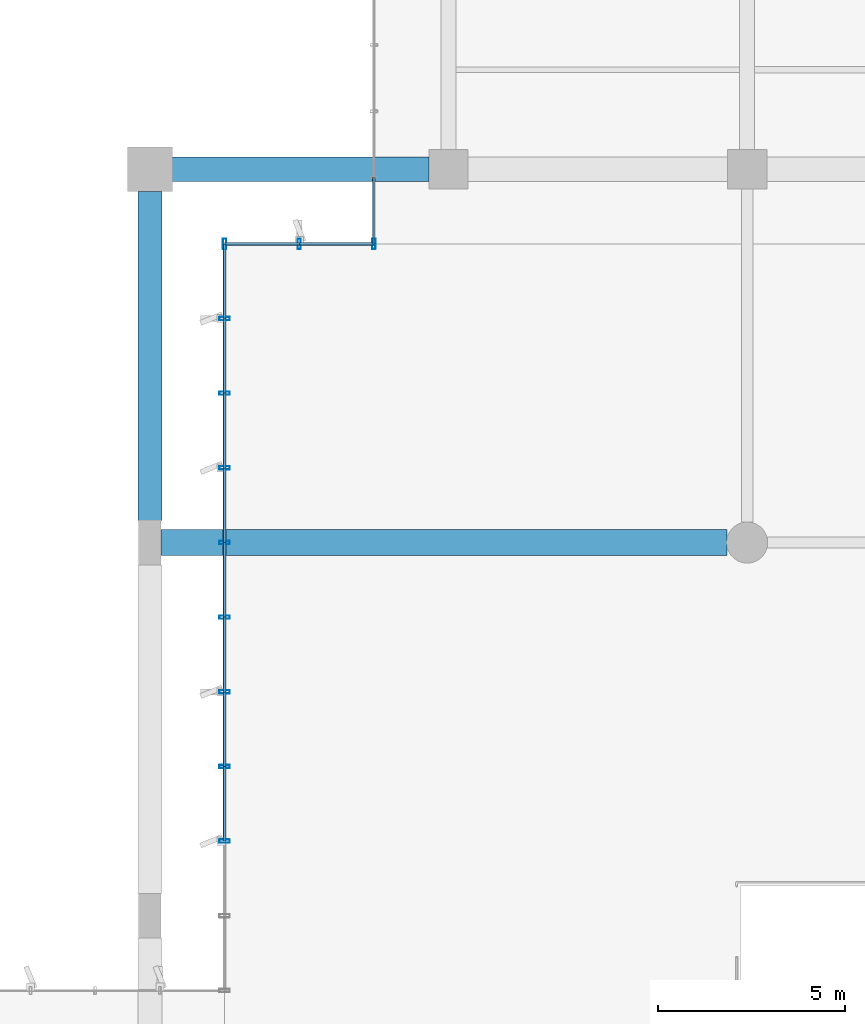
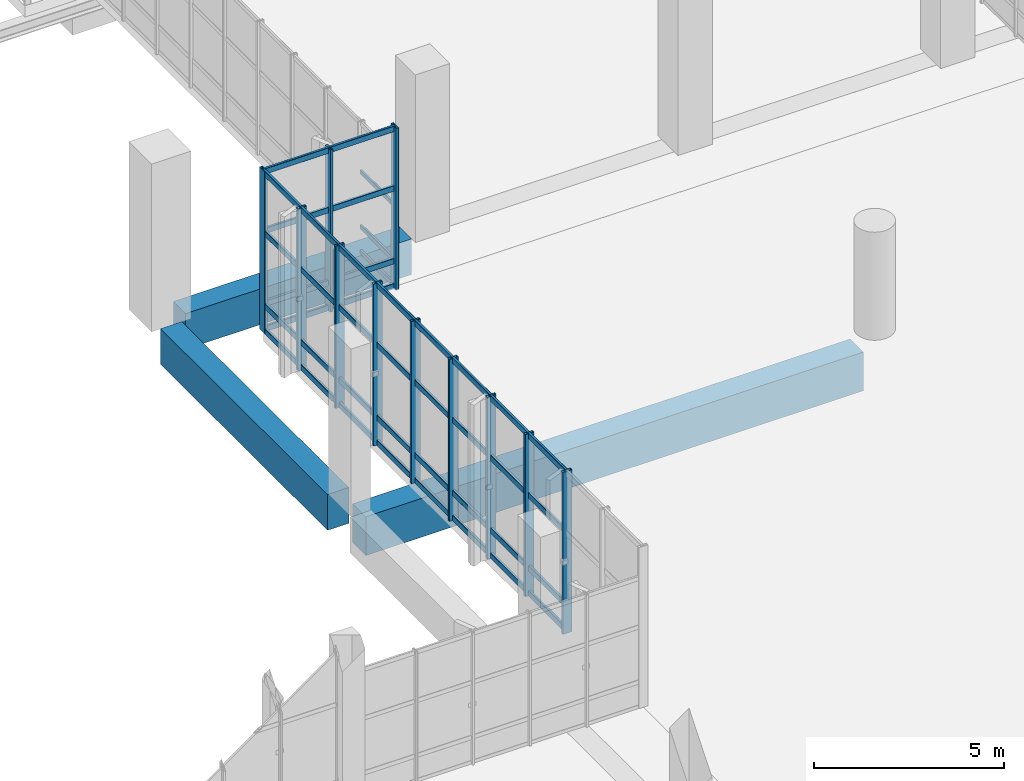
# One storey, part 48 of 176: 54 members, 3 beams, 4 elements without a shape of their own.
"""IFC4 building model written with IfcOpenShell, lengths in metres."""

import ifcopenshell
import ifcopenshell.guid

model = None  # the IFC model being written
_history = None  # IfcOwnerHistory: only IFC2X3 demands one
_inside = {}  # id of a spatial element -> (the spatial element, [elements in it])
_under = {}  # id of a project, library or spatial element -> (it, [spatial elements below it])
_declared = {}  # id of a project -> (the project, [libraries it declares])
_typed = {}  # id of a type object -> (the type object, [elements of that type])
_made_of = {}  # id of a material, layer set ... -> (it, [elements and type objects made of it])


def new_model(schema):
    """Start an empty IFC model of exactly this schema.

    Asked for "IFC4X3", IfcOpenShell would pick the latest addendum, in which some entities
    have other attributes; the version numbers below select the first issue.
    IFC2X3 requires an IfcOwnerHistory on every rooted entity: one is made here for all.
    """
    global model, _history
    if schema == "IFC4X3":
        model = ifcopenshell.file(schema_version=(4, 3, 0, 0))
    else:
        model = ifcopenshell.file(schema=schema)
    _inside.clear()
    _under.clear()
    _declared.clear()
    _typed.clear()
    _made_of.clear()
    _history = None
    if model.schema == "IFC2X3":
        org = make("IfcOrganization", Name="unknown")
        user = make(
            "IfcPersonAndOrganization",
            ThePerson=make("IfcPerson", FamilyName="unknown"),
            TheOrganization=org,
        )
        app = make(
            "IfcApplication",
            ApplicationDeveloper=org,
            Version="unknown",
            ApplicationFullName="unknown",
            ApplicationIdentifier="unknown",
        )
        _history = make(
            "IfcOwnerHistory",
            OwningUser=user,
            OwningApplication=app,
            ChangeAction="ADDED",
            CreationDate=0,
        )
    return model


def make(cls, **values):
    """One entity of the class cls with the attributes given. An attribute that is None is left unset."""
    return model.create_entity(
        cls, **{name: value for name, value in values.items() if value is not None}
    )


def rooted(cls, **values):
    """An entity with a GlobalId (a new one), such as an element, a storey or a relation."""
    return make(cls, GlobalId=ifcopenshell.guid.new(), OwnerHistory=_history, **values)


def si_unit(unit_type, name, prefix=None):
    """IfcSIUnit, for example si_unit("LENGTHUNIT", "METRE", prefix="MILLI")."""
    return make("IfcSIUnit", UnitType=unit_type, Prefix=prefix, Name=name)


def assignment(units):
    """IfcUnitAssignment: the units of a project."""
    return None if units is None else make("IfcUnitAssignment", Units=units)


def point(xyz):
    """IfcCartesianPoint."""
    return None if xyz is None else make("IfcCartesianPoint", Coordinates=xyz)


def direction(xyz):
    """IfcDirection."""
    return None if xyz is None else make("IfcDirection", DirectionRatios=xyz)


def frame(location, z_axis=None, x_axis=None):
    """IfcAxis2Placement3D, a coordinate frame: its origin and axes. An axis left out is left unset."""
    return make(
        "IfcAxis2Placement3D",
        Location=point(location),
        Axis=direction(z_axis),
        RefDirection=direction(x_axis),
    )


def frame_2d(location, x_axis=None):
    """IfcAxis2Placement2D, a coordinate frame in the plane: its origin and x axis."""
    return make(
        "IfcAxis2Placement2D", Location=point(location), RefDirection=direction(x_axis)
    )


def origin():
    """The frame at (0, 0, 0) with its axes left unset."""
    return frame((0.0, 0.0, 0.0))


def origin_2d():
    """The frame at (0, 0) in the plane with its x axis left unset."""
    return frame_2d((0.0, 0.0))


def place(relative_to, where):
    """IfcLocalPlacement: puts the frame where relative to a parent placement (None: the world)."""
    return make(
        "IfcLocalPlacement", PlacementRelTo=relative_to, RelativePlacement=where
    )


def context(
    kind, dimensions, precision=None, world=None, true_north=None, identifier=None
):
    """IfcGeometricRepresentationContext, for example the 3D "Model" context."""
    return make(
        "IfcGeometricRepresentationContext",
        ContextIdentifier=identifier,
        ContextType=kind,
        CoordinateSpaceDimension=dimensions,
        Precision=precision,
        WorldCoordinateSystem=world,
        TrueNorth=true_north,
    )


def subcontext(parent, identifier, kind, view, scale=None):
    """IfcGeometricRepresentationSubContext, for example "Body" below "Model"."""
    return make(
        "IfcGeometricRepresentationSubContext",
        ContextIdentifier=identifier,
        ContextType=kind,
        ParentContext=parent,
        TargetScale=scale,
        TargetView=view,
    )


def project(units=None, contexts=None):
    """IfcProject with its units and contexts."""
    return rooted(
        "IfcProject",
        Name="project",
        RepresentationContexts=contexts,
        UnitsInContext=assignment(units),
    )


def spatial(cls, under=None, at=None, **own):
    """A site, building, storey or space (cls), placed at a placement, below another one or the project."""
    s = rooted(cls, ObjectPlacement=at, **own)
    if under is not None:
        _under.setdefault(under.id(), (under, []))[1].append(s)
    return s


def profile(cls, at=None, kind="AREA", **sizes):
    """A parametric profile (cls). Its sizes go by their IFC names, for example OverallWidth=200.0."""
    return make(cls, ProfileType=kind, Position=at, **sizes)


def rectangle(**sizes):
    """IfcRectangleProfileDef."""
    return profile("IfcRectangleProfileDef", **sizes)


def hollow_rectangle(**sizes):
    """IfcRectangleHollowProfileDef."""
    return profile("IfcRectangleHollowProfileDef", **sizes)


def extrude(swept, where, along, depth):
    """IfcExtrudedAreaSolid: the profile swept, set in the frame where, extruded along a direction by depth."""
    return make(
        "IfcExtrudedAreaSolid",
        SweptArea=swept,
        Position=where,
        ExtrudedDirection=direction(along),
        Depth=depth,
    )


def shape(context_of_items, identifier, shape_type, items):
    """IfcShapeRepresentation: the items that make up one representation, for example the "Body"."""
    return make(
        "IfcShapeRepresentation",
        ContextOfItems=context_of_items,
        RepresentationIdentifier=identifier,
        RepresentationType=shape_type,
        Items=items,
    )


def material(Name=None, Category=None):
    """IfcMaterial."""
    return make("IfcMaterial", Name=Name, Category=Category)


def layer(
    of_material, thickness, ventilated=None, Name=None, Category=None, Priority=None
):
    """IfcMaterialLayer: one layer of a wall or slab, of a material (None: an air gap)."""
    return make(
        "IfcMaterialLayer",
        Material=of_material,
        LayerThickness=thickness,
        IsVentilated=ventilated,
        Name=Name,
        Category=Category,
        Priority=Priority,
    )


def layer_set(layers, Name=None):
    """IfcMaterialLayerSet."""
    return make("IfcMaterialLayerSet", MaterialLayers=layers, LayerSetName=Name)


def material_profile(
    of_material, cross_section, Name=None, Category=None, Priority=None
):
    """IfcMaterialProfile: a cross section and its material."""
    return make(
        "IfcMaterialProfile",
        Name=Name,
        Material=of_material,
        Profile=cross_section,
        Priority=Priority,
        Category=Category,
    )


def profile_set(profiles, Name=None, composite=None):
    """IfcMaterialProfileSet."""
    return make(
        "IfcMaterialProfileSet",
        Name=Name,
        MaterialProfiles=profiles,
        CompositeProfile=composite,
    )


def made_of(thing, what):
    """Note that an element or type object is made of a material, layer set ...; save() writes the relation."""
    if what is not None:
        _made_of.setdefault(what.id(), (what, []))[1].append(thing)
    return thing


def type_object(cls, material=None, **own):
    """A type object (cls), such as IfcWallType, which elements share."""
    return made_of(rooted(cls, **own), material)


def element(
    cls,
    number,
    at=None,
    inside=None,
    cuts=None,
    type_object=None,
    material=None,
    context=None,
    identifier="Body",
    shape_type=None,
    held_by="IfcProductDefinitionShape",
    body=None,
    shapes=None,
    **own,
):
    """One element of the class cls, such as IfcWall. Its Tag is "e" and its number.

    at: its placement. inside: the storey or other place that contains it. cuts: it is an
    opening in that element (IfcRelVoidsElement). A single representation is given by context,
    identifier, shape_type and body (its items); several are given by shapes. held_by: the class
    of the entity that holds the representations. save() writes the other relations.
    """
    e = rooted(cls, Tag="e%d" % number, ObjectPlacement=at, **own)
    if body is not None:
        shapes = [shape(context, identifier, shape_type, body)]
    if shapes is not None:
        e.Representation = make(held_by, Representations=shapes)
    if inside is not None:
        _inside.setdefault(inside.id(), (inside, []))[1].append(e)
    if cuts is not None:
        rooted(
            "IfcRelVoidsElement", RelatingBuildingElement=cuts, RelatedOpeningElement=e
        )
    if type_object is not None:
        _typed.setdefault(type_object.id(), (type_object, []))[1].append(e)
    return made_of(e, material)


def aggregate(whole, parts):
    """IfcRelAggregates: a whole, such as a stair, and the parts it consists of."""
    return rooted("IfcRelAggregates", RelatingObject=whole, RelatedObjects=parts)


def save(model, path):
    """Write the relations noted so far, then the file.

    IfcRelAggregates (storeys below a building ...), IfcRelContainedInSpatialStructure (elements
    in a storey), IfcRelDefinesByType, IfcRelAssociatesMaterial and IfcRelDeclares: one each for
    every whole, place, type object, material and project.
    """
    for whole, parts in _under.values():
        aggregate(whole, parts)
    for where, things in _inside.values():
        rooted(
            "IfcRelContainedInSpatialStructure",
            RelatedElements=things,
            RelatingStructure=where,
        )
    for kind, things in _typed.values():
        rooted("IfcRelDefinesByType", RelatedObjects=things, RelatingType=kind)
    for what, things in _made_of.values():
        rooted("IfcRelAssociatesMaterial", RelatedObjects=things, RelatingMaterial=what)
    for by, libraries in _declared.values():
        rooted("IfcRelDeclares", RelatingContext=by, RelatedDefinitions=libraries)
    model.write(path)


model = new_model("IFC4")

# Units and contexts
model_context = context("Model", 3, precision=1e-05, world=origin(), true_north=direction((0.0, 1.0)))
body_context = subcontext(model_context, "Body", "Model", "MODEL_VIEW")
ifc_project = project(units=[si_unit("LENGTHUNIT", "METRE"), si_unit("AREAUNIT", "SQUARE_METRE"), si_unit("VOLUMEUNIT", "CUBIC_METRE"), si_unit("PLANEANGLEUNIT", "RADIAN"), si_unit("MASSUNIT", "GRAM", prefix="KILO")], contexts=[model_context])

# Site, building, storey
site_placement = place(None, origin())
site = spatial("IfcSite", under=ifc_project, at=site_placement, CompositionType="ELEMENT")
building_placement = place(site_placement, origin())
building = spatial("IfcBuilding", under=site, at=building_placement, Name="Khorjan Park Terminus", CompositionType="ELEMENT")
storey_placement = place(building_placement, frame((0.0, 0.0, 6.0)))
storey = spatial("IfcBuildingStorey", under=building, at=storey_placement, Name="L01", CompositionType="ELEMENT", Elevation=6.0)

# Beam
ifc_material_1 = material(Name="Concrete C40/50", Category="concrete")
ifc_material_profile_1 = material_profile(ifc_material_1, rectangle(XDim=0.7, YDim=1.25, at=origin_2d()), Name="RC 700x1250")
ifc_profile_set_1 = profile_set([ifc_material_profile_1], Name="Concrete C40/50")
beam_type_1 = type_object("IfcBeamType", Name="BM-RC700x1250", PredefinedType="BEAM", material=ifc_profile_set_1)
beam_1_placement = place(storey_placement, frame((48.295, 78.0, -0.985), z_axis=(1.0, 0.0, 0.0), x_axis=(0.0, 1.0, 0.0)))
element("IfcBeam", 1, at=beam_1_placement, inside=storey, type_object=beam_type_1, Name="Primary floor girder GB-125 (L01)", PredefinedType="BEAM", context=body_context, shape_type="SweptSolid", body=[
    extrude(rectangle(XDim=0.7, YDim=1.25, at=origin_2d()), origin(), (0.0, 0.0, 1.0), 15.16),
])

# Curtain wall, members
ifc_material_2 = material(Name="Anodized Bronze Aluminium", Category="aluminium")
ifc_layer_1 = layer(ifc_material_2, 0.22)
ifc_layer_set_1 = layer_set([ifc_layer_1], Name="Anodized Bronze Aluminium")
curtain_wall_type_1 = type_object("IfcCurtainWallType", Name="CW-CONC-A", PredefinedType="NOTDEFINED", material=ifc_layer_set_1)
curtain_wall_1_placement = place(storey_placement, origin())
curtain_wall_1 = element("IfcCurtainWall", 2, at=curtain_wall_1_placement, inside=storey, type_object=curtain_wall_type_1, Name="Unitized curtain wall CW-A (CW-V2-N-L01-01)", PredefinedType="NOTDEFINED")
ifc_material_profile_2 = material_profile(ifc_material_2, hollow_rectangle(XDim=0.09, YDim=0.28, WallThickness=0.006, InnerFilletRadius=0.006, OuterFilletRadius=0.012, at=origin_2d()), Name="ALM 90x280x6")
ifc_profile_set_2 = profile_set([ifc_material_profile_2], Name="Anodized Bronze Aluminium")
member_type_1 = type_object("IfcMemberType", Name="ML-ALM-280", PredefinedType="MULLION", material=ifc_profile_set_2)
member_1_placement = place(storey_placement, frame((54.0, 86.0, -0.035), z_axis=(0.0, 0.0, 1.0), x_axis=(-1.0, 0.0, 0.0)))
member_1 = element("IfcMember", 3, at=member_1_placement, type_object=member_type_1, Name="Curtain-wall mullion ML-28 (CW-V2-N-L01-01-0)", PredefinedType="MULLION", context=body_context, shape_type="SweptSolid", body=[
    extrude(hollow_rectangle(XDim=0.09, YDim=0.28, WallThickness=0.006, InnerFilletRadius=0.006, OuterFilletRadius=0.012, at=origin_2d()), origin(), (0.0, 0.0, 1.0), 5.22),
])
member_2_placement = place(storey_placement, frame((52.0, 86.0, -0.035), z_axis=(0.0, 0.0, 1.0), x_axis=(-1.0, 0.0, 0.0)))
member_2 = element("IfcMember", 4, at=member_2_placement, type_object=member_type_1, Name="Curtain-wall mullion ML-28 (CW-V2-N-L01-01-1)", PredefinedType="MULLION", context=body_context, shape_type="SweptSolid", body=[
    extrude(hollow_rectangle(XDim=0.09, YDim=0.28, WallThickness=0.006, InnerFilletRadius=0.006, OuterFilletRadius=0.012, at=origin_2d()), origin(), (0.0, 0.0, 1.0), 5.22),
])
member_3_placement = place(storey_placement, frame((50.0, 86.0, -0.035), z_axis=(0.0, 0.0, 1.0), x_axis=(-1.0, 0.0, 0.0)))
member_3 = element("IfcMember", 5, at=member_3_placement, type_object=member_type_1, Name="Curtain-wall mullion ML-28 (CW-V2-N-L01-01-2)", PredefinedType="MULLION", context=body_context, shape_type="SweptSolid", body=[
    extrude(hollow_rectangle(XDim=0.09, YDim=0.28, WallThickness=0.006, InnerFilletRadius=0.006, OuterFilletRadius=0.012, at=origin_2d()), origin(), (0.0, 0.0, 1.0), 5.22),
])

curtain_wall_2_placement = place(storey_placement, origin())
curtain_wall_2 = element("IfcCurtainWall", 6, at=curtain_wall_2_placement, inside=storey, type_object=curtain_wall_type_1, Name="Unitized curtain wall CW-A (CW-V2-W-L01-04)", PredefinedType="NOTDEFINED")
member_4_placement = place(storey_placement, frame((50.0, 76.0, -0.035), z_axis=(0.0, 0.0, 1.0), x_axis=(0.0, -1.0, 0.0)))
member_4 = element("IfcMember", 7, at=member_4_placement, type_object=member_type_1, Name="Curtain-wall mullion ML-28 (CW-V2-W-L01-04-0)", PredefinedType="MULLION", context=body_context, shape_type="SweptSolid", body=[
    extrude(hollow_rectangle(XDim=0.09, YDim=0.28, WallThickness=0.006, InnerFilletRadius=0.006, OuterFilletRadius=0.012, at=origin_2d()), origin(), (0.0, 0.0, 1.0), 5.22),
])
member_5_placement = place(storey_placement, frame((50.0, 74.0, -0.035), z_axis=(0.0, 0.0, 1.0), x_axis=(0.0, -1.0, 0.0)))
member_5 = element("IfcMember", 8, at=member_5_placement, type_object=member_type_1, Name="Curtain-wall mullion ML-28 (CW-V2-W-L01-04-1)", PredefinedType="MULLION", context=body_context, shape_type="SweptSolid", body=[
    extrude(hollow_rectangle(XDim=0.09, YDim=0.28, WallThickness=0.006, InnerFilletRadius=0.006, OuterFilletRadius=0.012, at=origin_2d()), origin(), (0.0, 0.0, 1.0), 5.22),
])
member_6_placement = place(storey_placement, frame((50.0, 72.0, -0.035), z_axis=(0.0, 0.0, 1.0), x_axis=(0.0, -1.0, 0.0)))
member_6 = element("IfcMember", 9, at=member_6_placement, type_object=member_type_1, Name="Curtain-wall mullion ML-28 (CW-V2-W-L01-04-2)", PredefinedType="MULLION", context=body_context, shape_type="SweptSolid", body=[
    extrude(hollow_rectangle(XDim=0.09, YDim=0.28, WallThickness=0.006, InnerFilletRadius=0.006, OuterFilletRadius=0.012, at=origin_2d()), origin(), (0.0, 0.0, 1.0), 5.22),
])
member_7_placement = place(storey_placement, frame((50.0, 70.0, -0.035), z_axis=(0.0, 0.0, 1.0), x_axis=(0.0, -1.0, 0.0)))
member_7 = element("IfcMember", 10, at=member_7_placement, type_object=member_type_1, Name="Curtain-wall mullion ML-28 (CW-V2-W-L01-04-3)", PredefinedType="MULLION", context=body_context, shape_type="SweptSolid", body=[
    extrude(hollow_rectangle(XDim=0.09, YDim=0.28, WallThickness=0.006, InnerFilletRadius=0.006, OuterFilletRadius=0.012, at=origin_2d()), origin(), (0.0, 0.0, 1.0), 5.22),
])

curtain_wall_3_placement = place(storey_placement, origin())
curtain_wall_3 = element("IfcCurtainWall", 11, at=curtain_wall_3_placement, inside=storey, type_object=curtain_wall_type_1, Name="Unitized curtain wall CW-A (CW-V2-W-L01-05)", PredefinedType="NOTDEFINED")
member_8_placement = place(storey_placement, frame((50.0, 84.0, -0.035), z_axis=(0.0, 0.0, 1.0), x_axis=(0.0, -1.0, 0.0)))
member_8 = element("IfcMember", 12, at=member_8_placement, type_object=member_type_1, Name="Curtain-wall mullion ML-28 (CW-V2-W-L01-05-1)", PredefinedType="MULLION", context=body_context, shape_type="SweptSolid", body=[
    extrude(hollow_rectangle(XDim=0.09, YDim=0.28, WallThickness=0.006, InnerFilletRadius=0.006, OuterFilletRadius=0.012, at=origin_2d()), origin(), (0.0, 0.0, 1.0), 5.22),
])
member_9_placement = place(storey_placement, frame((50.0, 82.0, -0.035), z_axis=(0.0, 0.0, 1.0), x_axis=(0.0, -1.0, 0.0)))
member_9 = element("IfcMember", 13, at=member_9_placement, type_object=member_type_1, Name="Curtain-wall mullion ML-28 (CW-V2-W-L01-05-2)", PredefinedType="MULLION", context=body_context, shape_type="SweptSolid", body=[
    extrude(hollow_rectangle(XDim=0.09, YDim=0.28, WallThickness=0.006, InnerFilletRadius=0.006, OuterFilletRadius=0.012, at=origin_2d()), origin(), (0.0, 0.0, 1.0), 5.22),
])
member_10_placement = place(storey_placement, frame((50.0, 80.0, -0.035), z_axis=(0.0, 0.0, 1.0), x_axis=(0.0, -1.0, 0.0)))
member_10 = element("IfcMember", 14, at=member_10_placement, type_object=member_type_1, Name="Curtain-wall mullion ML-28 (CW-V2-W-L01-05-3)", PredefinedType="MULLION", context=body_context, shape_type="SweptSolid", body=[
    extrude(hollow_rectangle(XDim=0.09, YDim=0.28, WallThickness=0.006, InnerFilletRadius=0.006, OuterFilletRadius=0.012, at=origin_2d()), origin(), (0.0, 0.0, 1.0), 5.22),
])
member_11_placement = place(storey_placement, frame((50.0, 78.0, -0.035), z_axis=(0.0, 0.0, 1.0), x_axis=(0.0, -1.0, 0.0)))
member_11 = element("IfcMember", 15, at=member_11_placement, type_object=member_type_1, Name="Curtain-wall mullion ML-28 (CW-V2-W-L01-05-4)", PredefinedType="MULLION", context=body_context, shape_type="SweptSolid", body=[
    extrude(hollow_rectangle(XDim=0.09, YDim=0.28, WallThickness=0.006, InnerFilletRadius=0.006, OuterFilletRadius=0.012, at=origin_2d()), origin(), (0.0, 0.0, 1.0), 5.22),
])

# Beams
ifc_material_3 = material(Name="Concrete C50/60", Category="concrete")
ifc_material_profile_3 = material_profile(ifc_material_3, rectangle(XDim=0.65, YDim=1.15, at=origin_2d()), Name="RC 650x1150")
ifc_profile_set_3 = profile_set([ifc_material_profile_3], Name="Concrete C50/60")
beam_type_2 = type_object("IfcBeamType", Name="SP-RC650x1150", PredefinedType="SPANDREL", material=ifc_profile_set_3)
beam_2_placement = place(storey_placement, frame((48.595, 88.0, -0.575), z_axis=(1.0, 0.0, 0.0), x_axis=(0.0, 1.0, 0.0)))
element("IfcBeam", 16, at=beam_2_placement, inside=storey, type_object=beam_type_2, Name="Concourse lower colonnade ring beam SP-11 (L01-2)", PredefinedType="SPANDREL", context=body_context, shape_type="SweptSolid", body=[
    extrude(rectangle(XDim=0.65, YDim=1.15, at=origin_2d()), origin(), (0.0, 0.0, 1.0), 6.885),
])
beam_3_placement = place(storey_placement, frame((48.0, 78.595, -0.575), z_axis=(0.0, 1.0, 0.0), x_axis=(-1.0, 0.0, 0.0)))
element("IfcBeam", 17, at=beam_3_placement, inside=storey, type_object=beam_type_2, Name="Concourse lower colonnade ring beam SP-11 (L01-35)", PredefinedType="SPANDREL", context=body_context, shape_type="SweptSolid", body=[
    extrude(rectangle(XDim=0.65, YDim=1.15, at=origin_2d()), origin(), (0.0, 0.0, 1.0), 8.81),
])

# Curtain wall, members
ifc_layer_2 = layer(ifc_material_2, 0.22)
ifc_layer_set_2 = layer_set([ifc_layer_2], Name="Anodized Bronze Aluminium")
curtain_wall_type_2 = type_object("IfcCurtainWallType", Name="CW-BRG-D", PredefinedType="NOTDEFINED", material=ifc_layer_set_2)
curtain_wall_4_placement = place(storey_placement, origin())
curtain_wall_4 = element("IfcCurtainWall", 18, at=curtain_wall_4_placement, inside=storey, type_object=curtain_wall_type_2, Name="Unitized curtain wall CW-D (CW-NKW-W-L01)", PredefinedType="NOTDEFINED")
ifc_material_profile_4 = material_profile(ifc_material_2, hollow_rectangle(XDim=0.065, YDim=0.14, WallThickness=0.004, InnerFilletRadius=0.004, OuterFilletRadius=0.008, at=origin_2d()), Name="ALT 65x140x4")
ifc_profile_set_4 = profile_set([ifc_material_profile_4], Name="Anodized Bronze Aluminium")
member_type_2 = type_object("IfcMemberType", Name="TR-ALT-140", PredefinedType="USERDEFINED", material=ifc_profile_set_4)
member_12_placement = place(storey_placement, frame((54.0, 87.7778, 0.04), z_axis=(0.0, -1.0, 0.0), x_axis=(1.0, 0.0, 0.0)))
member_12 = element("IfcMember", 19, at=member_12_placement, type_object=member_type_2, Name="Curtain-wall transom TR-14 (CW-NKW-W-L01-8-1)", ObjectType="TRANSOM", PredefinedType="USERDEFINED", context=body_context, shape_type="SweptSolid", body=[
    extrude(hollow_rectangle(XDim=0.065, YDim=0.14, WallThickness=0.004, InnerFilletRadius=0.004, OuterFilletRadius=0.008, at=origin_2d()), origin(), (0.0, 0.0, 1.0), 1.7778),
])
member_13_placement = place(storey_placement, frame((54.0, 87.7778, 0.85), z_axis=(0.0, -1.0, 0.0), x_axis=(1.0, 0.0, 0.0)))
member_13 = element("IfcMember", 20, at=member_13_placement, type_object=member_type_2, Name="Curtain-wall transom TR-14 (CW-NKW-W-L01-8-2)", ObjectType="TRANSOM", PredefinedType="USERDEFINED", context=body_context, shape_type="SweptSolid", body=[
    extrude(hollow_rectangle(XDim=0.065, YDim=0.14, WallThickness=0.004, InnerFilletRadius=0.004, OuterFilletRadius=0.008, at=origin_2d()), origin(), (0.0, 0.0, 1.0), 1.7778),
])
member_14_placement = place(storey_placement, frame((54.0, 87.7778, 2.6195), z_axis=(0.0, -1.0, 0.0), x_axis=(1.0, 0.0, 0.0)))
member_14 = element("IfcMember", 21, at=member_14_placement, type_object=member_type_2, Name="Curtain-wall transom TR-14 (CW-NKW-W-L01-8-3)", ObjectType="TRANSOM", PredefinedType="USERDEFINED", context=body_context, shape_type="SweptSolid", body=[
    extrude(hollow_rectangle(XDim=0.065, YDim=0.14, WallThickness=0.004, InnerFilletRadius=0.004, OuterFilletRadius=0.008, at=origin_2d()), origin(), (0.0, 0.0, 1.0), 1.7778),
])
aggregate(curtain_wall_4, [member_12, member_13, member_14])

# Member
ifc_material_profile_5 = material_profile(ifc_material_2, hollow_rectangle(XDim=0.075, YDim=0.185, WallThickness=0.005, InnerFilletRadius=0.005, OuterFilletRadius=0.01, at=origin_2d()), Name="ALT 75x185x5")
ifc_profile_set_5 = profile_set([ifc_material_profile_5], Name="Anodized Bronze Aluminium")
member_type_3 = type_object("IfcMemberType", Name="TR-ALT-185", PredefinedType="USERDEFINED", material=ifc_profile_set_5)
member_15_placement = place(storey_placement, frame((54.0, 86.0, 0.04), z_axis=(-1.0, 0.0, 0.0), x_axis=(0.0, -1.0, 0.0)))
member_15 = element("IfcMember", 22, at=member_15_placement, type_object=member_type_3, Name="Curtain-wall transom TR-18 (CW-V2-N-L01-01-0-1)", ObjectType="TRANSOM", PredefinedType="USERDEFINED", context=body_context, shape_type="SweptSolid", body=[
    extrude(hollow_rectangle(XDim=0.075, YDim=0.185, WallThickness=0.005, InnerFilletRadius=0.005, OuterFilletRadius=0.01, at=origin_2d()), origin(), (0.0, 0.0, 1.0), 2.0),
])

member_16_placement = place(storey_placement, frame((54.0, 86.0, 0.85), z_axis=(-1.0, 0.0, 0.0), x_axis=(0.0, -1.0, 0.0)))
member_16 = element("IfcMember", 23, at=member_16_placement, type_object=member_type_3, Name="Curtain-wall transom TR-18 (CW-V2-N-L01-01-0-2)", ObjectType="TRANSOM", PredefinedType="USERDEFINED", context=body_context, shape_type="SweptSolid", body=[
    extrude(hollow_rectangle(XDim=0.075, YDim=0.185, WallThickness=0.005, InnerFilletRadius=0.005, OuterFilletRadius=0.01, at=origin_2d()), origin(), (0.0, 0.0, 1.0), 2.0),
])

member_17_placement = place(storey_placement, frame((54.0, 86.0, 3.193), z_axis=(-1.0, 0.0, 0.0), x_axis=(0.0, -1.0, 0.0)))
member_17 = element("IfcMember", 24, at=member_17_placement, type_object=member_type_3, Name="Curtain-wall transom TR-18 (CW-V2-N-L01-01-0-3)", ObjectType="TRANSOM", PredefinedType="USERDEFINED", context=body_context, shape_type="SweptSolid", body=[
    extrude(hollow_rectangle(XDim=0.075, YDim=0.185, WallThickness=0.005, InnerFilletRadius=0.005, OuterFilletRadius=0.01, at=origin_2d()), origin(), (0.0, 0.0, 1.0), 2.0),
])

member_18_placement = place(storey_placement, frame((54.0, 86.0, 5.11), z_axis=(-1.0, 0.0, 0.0), x_axis=(0.0, -1.0, 0.0)))
member_18 = element("IfcMember", 25, at=member_18_placement, type_object=member_type_3, Name="Curtain-wall transom TR-18 (CW-V2-N-L01-01-0-4)", ObjectType="TRANSOM", PredefinedType="USERDEFINED", context=body_context, shape_type="SweptSolid", body=[
    extrude(hollow_rectangle(XDim=0.075, YDim=0.185, WallThickness=0.005, InnerFilletRadius=0.005, OuterFilletRadius=0.01, at=origin_2d()), origin(), (0.0, 0.0, 1.0), 2.0),
])

member_19_placement = place(storey_placement, frame((52.0, 86.0, 0.04), z_axis=(-1.0, 0.0, 0.0), x_axis=(0.0, -1.0, 0.0)))
member_19 = element("IfcMember", 26, at=member_19_placement, type_object=member_type_3, Name="Curtain-wall transom TR-18 (CW-V2-N-L01-01-1-1)", ObjectType="TRANSOM", PredefinedType="USERDEFINED", context=body_context, shape_type="SweptSolid", body=[
    extrude(hollow_rectangle(XDim=0.075, YDim=0.185, WallThickness=0.005, InnerFilletRadius=0.005, OuterFilletRadius=0.01, at=origin_2d()), origin(), (0.0, 0.0, 1.0), 2.0),
])

member_20_placement = place(storey_placement, frame((52.0, 86.0, 0.85), z_axis=(-1.0, 0.0, 0.0), x_axis=(0.0, -1.0, 0.0)))
member_20 = element("IfcMember", 27, at=member_20_placement, type_object=member_type_3, Name="Curtain-wall transom TR-18 (CW-V2-N-L01-01-1-2)", ObjectType="TRANSOM", PredefinedType="USERDEFINED", context=body_context, shape_type="SweptSolid", body=[
    extrude(hollow_rectangle(XDim=0.075, YDim=0.185, WallThickness=0.005, InnerFilletRadius=0.005, OuterFilletRadius=0.01, at=origin_2d()), origin(), (0.0, 0.0, 1.0), 2.0),
])

member_21_placement = place(storey_placement, frame((52.0, 86.0, 3.193), z_axis=(-1.0, 0.0, 0.0), x_axis=(0.0, -1.0, 0.0)))
member_21 = element("IfcMember", 28, at=member_21_placement, type_object=member_type_3, Name="Curtain-wall transom TR-18 (CW-V2-N-L01-01-1-3)", ObjectType="TRANSOM", PredefinedType="USERDEFINED", context=body_context, shape_type="SweptSolid", body=[
    extrude(hollow_rectangle(XDim=0.075, YDim=0.185, WallThickness=0.005, InnerFilletRadius=0.005, OuterFilletRadius=0.01, at=origin_2d()), origin(), (0.0, 0.0, 1.0), 2.0),
])

member_22_placement = place(storey_placement, frame((52.0, 86.0, 5.11), z_axis=(-1.0, 0.0, 0.0), x_axis=(0.0, -1.0, 0.0)))
member_22 = element("IfcMember", 29, at=member_22_placement, type_object=member_type_3, Name="Curtain-wall transom TR-18 (CW-V2-N-L01-01-1-4)", ObjectType="TRANSOM", PredefinedType="USERDEFINED", context=body_context, shape_type="SweptSolid", body=[
    extrude(hollow_rectangle(XDim=0.075, YDim=0.185, WallThickness=0.005, InnerFilletRadius=0.005, OuterFilletRadius=0.01, at=origin_2d()), origin(), (0.0, 0.0, 1.0), 2.0),
])

aggregate(curtain_wall_1, [member_1, member_2, member_3, member_15, member_16, member_17, member_18, member_19, member_20, member_21, member_22])

member_23_placement = place(storey_placement, frame((50.0, 76.0, 0.04), z_axis=(0.0, -1.0, 0.0), x_axis=(1.0, 0.0, 0.0)))
member_23 = element("IfcMember", 30, at=member_23_placement, type_object=member_type_3, Name="Curtain-wall transom TR-18 (CW-V2-W-L01-04-0-1)", ObjectType="TRANSOM", PredefinedType="USERDEFINED", context=body_context, shape_type="SweptSolid", body=[
    extrude(hollow_rectangle(XDim=0.075, YDim=0.185, WallThickness=0.005, InnerFilletRadius=0.005, OuterFilletRadius=0.01, at=origin_2d()), origin(), (0.0, 0.0, 1.0), 2.0),
])

member_24_placement = place(storey_placement, frame((50.0, 76.0, 0.85), z_axis=(0.0, -1.0, 0.0), x_axis=(1.0, 0.0, 0.0)))
member_24 = element("IfcMember", 31, at=member_24_placement, type_object=member_type_3, Name="Curtain-wall transom TR-18 (CW-V2-W-L01-04-0-2)", ObjectType="TRANSOM", PredefinedType="USERDEFINED", context=body_context, shape_type="SweptSolid", body=[
    extrude(hollow_rectangle(XDim=0.075, YDim=0.185, WallThickness=0.005, InnerFilletRadius=0.005, OuterFilletRadius=0.01, at=origin_2d()), origin(), (0.0, 0.0, 1.0), 2.0),
])

member_25_placement = place(storey_placement, frame((50.0, 76.0, 3.193), z_axis=(0.0, -1.0, 0.0), x_axis=(1.0, 0.0, 0.0)))
member_25 = element("IfcMember", 32, at=member_25_placement, type_object=member_type_3, Name="Curtain-wall transom TR-18 (CW-V2-W-L01-04-0-3)", ObjectType="TRANSOM", PredefinedType="USERDEFINED", context=body_context, shape_type="SweptSolid", body=[
    extrude(hollow_rectangle(XDim=0.075, YDim=0.185, WallThickness=0.005, InnerFilletRadius=0.005, OuterFilletRadius=0.01, at=origin_2d()), origin(), (0.0, 0.0, 1.0), 2.0),
])

member_26_placement = place(storey_placement, frame((50.0, 76.0, 5.11), z_axis=(0.0, -1.0, 0.0), x_axis=(1.0, 0.0, 0.0)))
member_26 = element("IfcMember", 33, at=member_26_placement, type_object=member_type_3, Name="Curtain-wall transom TR-18 (CW-V2-W-L01-04-0-4)", ObjectType="TRANSOM", PredefinedType="USERDEFINED", context=body_context, shape_type="SweptSolid", body=[
    extrude(hollow_rectangle(XDim=0.075, YDim=0.185, WallThickness=0.005, InnerFilletRadius=0.005, OuterFilletRadius=0.01, at=origin_2d()), origin(), (0.0, 0.0, 1.0), 2.0),
])

member_27_placement = place(storey_placement, frame((50.0, 74.0, 0.04), z_axis=(0.0, -1.0, 0.0), x_axis=(1.0, 0.0, 0.0)))
member_27 = element("IfcMember", 34, at=member_27_placement, type_object=member_type_3, Name="Curtain-wall transom TR-18 (CW-V2-W-L01-04-1-1)", ObjectType="TRANSOM", PredefinedType="USERDEFINED", context=body_context, shape_type="SweptSolid", body=[
    extrude(hollow_rectangle(XDim=0.075, YDim=0.185, WallThickness=0.005, InnerFilletRadius=0.005, OuterFilletRadius=0.01, at=origin_2d()), origin(), (0.0, 0.0, 1.0), 2.0),
])

member_28_placement = place(storey_placement, frame((50.0, 74.0, 0.85), z_axis=(0.0, -1.0, 0.0), x_axis=(1.0, 0.0, 0.0)))
member_28 = element("IfcMember", 35, at=member_28_placement, type_object=member_type_3, Name="Curtain-wall transom TR-18 (CW-V2-W-L01-04-1-2)", ObjectType="TRANSOM", PredefinedType="USERDEFINED", context=body_context, shape_type="SweptSolid", body=[
    extrude(hollow_rectangle(XDim=0.075, YDim=0.185, WallThickness=0.005, InnerFilletRadius=0.005, OuterFilletRadius=0.01, at=origin_2d()), origin(), (0.0, 0.0, 1.0), 2.0),
])

member_29_placement = place(storey_placement, frame((50.0, 74.0, 3.193), z_axis=(0.0, -1.0, 0.0), x_axis=(1.0, 0.0, 0.0)))
member_29 = element("IfcMember", 36, at=member_29_placement, type_object=member_type_3, Name="Curtain-wall transom TR-18 (CW-V2-W-L01-04-1-3)", ObjectType="TRANSOM", PredefinedType="USERDEFINED", context=body_context, shape_type="SweptSolid", body=[
    extrude(hollow_rectangle(XDim=0.075, YDim=0.185, WallThickness=0.005, InnerFilletRadius=0.005, OuterFilletRadius=0.01, at=origin_2d()), origin(), (0.0, 0.0, 1.0), 2.0),
])

member_30_placement = place(storey_placement, frame((50.0, 74.0, 5.11), z_axis=(0.0, -1.0, 0.0), x_axis=(1.0, 0.0, 0.0)))
member_30 = element("IfcMember", 37, at=member_30_placement, type_object=member_type_3, Name="Curtain-wall transom TR-18 (CW-V2-W-L01-04-1-4)", ObjectType="TRANSOM", PredefinedType="USERDEFINED", context=body_context, shape_type="SweptSolid", body=[
    extrude(hollow_rectangle(XDim=0.075, YDim=0.185, WallThickness=0.005, InnerFilletRadius=0.005, OuterFilletRadius=0.01, at=origin_2d()), origin(), (0.0, 0.0, 1.0), 2.0),
])

member_31_placement = place(storey_placement, frame((50.0, 72.0, 0.04), z_axis=(0.0, -1.0, 0.0), x_axis=(1.0, 0.0, 0.0)))
member_31 = element("IfcMember", 38, at=member_31_placement, type_object=member_type_3, Name="Curtain-wall transom TR-18 (CW-V2-W-L01-04-2-1)", ObjectType="TRANSOM", PredefinedType="USERDEFINED", context=body_context, shape_type="SweptSolid", body=[
    extrude(hollow_rectangle(XDim=0.075, YDim=0.185, WallThickness=0.005, InnerFilletRadius=0.005, OuterFilletRadius=0.01, at=origin_2d()), origin(), (0.0, 0.0, 1.0), 2.0),
])

member_32_placement = place(storey_placement, frame((50.0, 72.0, 0.85), z_axis=(0.0, -1.0, 0.0), x_axis=(1.0, 0.0, 0.0)))
member_32 = element("IfcMember", 39, at=member_32_placement, type_object=member_type_3, Name="Curtain-wall transom TR-18 (CW-V2-W-L01-04-2-2)", ObjectType="TRANSOM", PredefinedType="USERDEFINED", context=body_context, shape_type="SweptSolid", body=[
    extrude(hollow_rectangle(XDim=0.075, YDim=0.185, WallThickness=0.005, InnerFilletRadius=0.005, OuterFilletRadius=0.01, at=origin_2d()), origin(), (0.0, 0.0, 1.0), 2.0),
])

member_33_placement = place(storey_placement, frame((50.0, 72.0, 3.193), z_axis=(0.0, -1.0, 0.0), x_axis=(1.0, 0.0, 0.0)))
member_33 = element("IfcMember", 40, at=member_33_placement, type_object=member_type_3, Name="Curtain-wall transom TR-18 (CW-V2-W-L01-04-2-3)", ObjectType="TRANSOM", PredefinedType="USERDEFINED", context=body_context, shape_type="SweptSolid", body=[
    extrude(hollow_rectangle(XDim=0.075, YDim=0.185, WallThickness=0.005, InnerFilletRadius=0.005, OuterFilletRadius=0.01, at=origin_2d()), origin(), (0.0, 0.0, 1.0), 2.0),
])

member_34_placement = place(storey_placement, frame((50.0, 72.0, 5.11), z_axis=(0.0, -1.0, 0.0), x_axis=(1.0, 0.0, 0.0)))
member_34 = element("IfcMember", 41, at=member_34_placement, type_object=member_type_3, Name="Curtain-wall transom TR-18 (CW-V2-W-L01-04-2-4)", ObjectType="TRANSOM", PredefinedType="USERDEFINED", context=body_context, shape_type="SweptSolid", body=[
    extrude(hollow_rectangle(XDim=0.075, YDim=0.185, WallThickness=0.005, InnerFilletRadius=0.005, OuterFilletRadius=0.01, at=origin_2d()), origin(), (0.0, 0.0, 1.0), 2.0),
])

aggregate(curtain_wall_2, [member_4, member_5, member_6, member_7, member_23, member_24, member_25, member_26, member_27, member_28, member_29, member_30, member_31, member_32, member_33, member_34])

member_35_placement = place(storey_placement, frame((50.0, 86.0, 0.04), z_axis=(0.0, -1.0, 0.0), x_axis=(1.0, 0.0, 0.0)))
member_35 = element("IfcMember", 42, at=member_35_placement, type_object=member_type_3, Name="Curtain-wall transom TR-18 (CW-V2-W-L01-05-0-1)", ObjectType="TRANSOM", PredefinedType="USERDEFINED", context=body_context, shape_type="SweptSolid", body=[
    extrude(hollow_rectangle(XDim=0.075, YDim=0.185, WallThickness=0.005, InnerFilletRadius=0.005, OuterFilletRadius=0.01, at=origin_2d()), origin(), (0.0, 0.0, 1.0), 2.0),
])

member_36_placement = place(storey_placement, frame((50.0, 86.0, 0.85), z_axis=(0.0, -1.0, 0.0), x_axis=(1.0, 0.0, 0.0)))
member_36 = element("IfcMember", 43, at=member_36_placement, type_object=member_type_3, Name="Curtain-wall transom TR-18 (CW-V2-W-L01-05-0-2)", ObjectType="TRANSOM", PredefinedType="USERDEFINED", context=body_context, shape_type="SweptSolid", body=[
    extrude(hollow_rectangle(XDim=0.075, YDim=0.185, WallThickness=0.005, InnerFilletRadius=0.005, OuterFilletRadius=0.01, at=origin_2d()), origin(), (0.0, 0.0, 1.0), 2.0),
])

member_37_placement = place(storey_placement, frame((50.0, 86.0, 3.193), z_axis=(0.0, -1.0, 0.0), x_axis=(1.0, 0.0, 0.0)))
member_37 = element("IfcMember", 44, at=member_37_placement, type_object=member_type_3, Name="Curtain-wall transom TR-18 (CW-V2-W-L01-05-0-3)", ObjectType="TRANSOM", PredefinedType="USERDEFINED", context=body_context, shape_type="SweptSolid", body=[
    extrude(hollow_rectangle(XDim=0.075, YDim=0.185, WallThickness=0.005, InnerFilletRadius=0.005, OuterFilletRadius=0.01, at=origin_2d()), origin(), (0.0, 0.0, 1.0), 2.0),
])

member_38_placement = place(storey_placement, frame((50.0, 86.0, 5.11), z_axis=(0.0, -1.0, 0.0), x_axis=(1.0, 0.0, 0.0)))
member_38 = element("IfcMember", 45, at=member_38_placement, type_object=member_type_3, Name="Curtain-wall transom TR-18 (CW-V2-W-L01-05-0-4)", ObjectType="TRANSOM", PredefinedType="USERDEFINED", context=body_context, shape_type="SweptSolid", body=[
    extrude(hollow_rectangle(XDim=0.075, YDim=0.185, WallThickness=0.005, InnerFilletRadius=0.005, OuterFilletRadius=0.01, at=origin_2d()), origin(), (0.0, 0.0, 1.0), 2.0),
])

member_39_placement = place(storey_placement, frame((50.0, 84.0, 0.04), z_axis=(0.0, -1.0, 0.0), x_axis=(1.0, 0.0, 0.0)))
member_39 = element("IfcMember", 46, at=member_39_placement, type_object=member_type_3, Name="Curtain-wall transom TR-18 (CW-V2-W-L01-05-1-1)", ObjectType="TRANSOM", PredefinedType="USERDEFINED", context=body_context, shape_type="SweptSolid", body=[
    extrude(hollow_rectangle(XDim=0.075, YDim=0.185, WallThickness=0.005, InnerFilletRadius=0.005, OuterFilletRadius=0.01, at=origin_2d()), origin(), (0.0, 0.0, 1.0), 2.0),
])

member_40_placement = place(storey_placement, frame((50.0, 84.0, 0.85), z_axis=(0.0, -1.0, 0.0), x_axis=(1.0, 0.0, 0.0)))
member_40 = element("IfcMember", 47, at=member_40_placement, type_object=member_type_3, Name="Curtain-wall transom TR-18 (CW-V2-W-L01-05-1-2)", ObjectType="TRANSOM", PredefinedType="USERDEFINED", context=body_context, shape_type="SweptSolid", body=[
    extrude(hollow_rectangle(XDim=0.075, YDim=0.185, WallThickness=0.005, InnerFilletRadius=0.005, OuterFilletRadius=0.01, at=origin_2d()), origin(), (0.0, 0.0, 1.0), 2.0),
])

member_41_placement = place(storey_placement, frame((50.0, 84.0, 3.193), z_axis=(0.0, -1.0, 0.0), x_axis=(1.0, 0.0, 0.0)))
member_41 = element("IfcMember", 48, at=member_41_placement, type_object=member_type_3, Name="Curtain-wall transom TR-18 (CW-V2-W-L01-05-1-3)", ObjectType="TRANSOM", PredefinedType="USERDEFINED", context=body_context, shape_type="SweptSolid", body=[
    extrude(hollow_rectangle(XDim=0.075, YDim=0.185, WallThickness=0.005, InnerFilletRadius=0.005, OuterFilletRadius=0.01, at=origin_2d()), origin(), (0.0, 0.0, 1.0), 2.0),
])

member_42_placement = place(storey_placement, frame((50.0, 84.0, 5.11), z_axis=(0.0, -1.0, 0.0), x_axis=(1.0, 0.0, 0.0)))
member_42 = element("IfcMember", 49, at=member_42_placement, type_object=member_type_3, Name="Curtain-wall transom TR-18 (CW-V2-W-L01-05-1-4)", ObjectType="TRANSOM", PredefinedType="USERDEFINED", context=body_context, shape_type="SweptSolid", body=[
    extrude(hollow_rectangle(XDim=0.075, YDim=0.185, WallThickness=0.005, InnerFilletRadius=0.005, OuterFilletRadius=0.01, at=origin_2d()), origin(), (0.0, 0.0, 1.0), 2.0),
])

member_43_placement = place(storey_placement, frame((50.0, 82.0, 0.04), z_axis=(0.0, -1.0, 0.0), x_axis=(1.0, 0.0, 0.0)))
member_43 = element("IfcMember", 50, at=member_43_placement, type_object=member_type_3, Name="Curtain-wall transom TR-18 (CW-V2-W-L01-05-2-1)", ObjectType="TRANSOM", PredefinedType="USERDEFINED", context=body_context, shape_type="SweptSolid", body=[
    extrude(hollow_rectangle(XDim=0.075, YDim=0.185, WallThickness=0.005, InnerFilletRadius=0.005, OuterFilletRadius=0.01, at=origin_2d()), origin(), (0.0, 0.0, 1.0), 2.0),
])

member_44_placement = place(storey_placement, frame((50.0, 82.0, 0.85), z_axis=(0.0, -1.0, 0.0), x_axis=(1.0, 0.0, 0.0)))
member_44 = element("IfcMember", 51, at=member_44_placement, type_object=member_type_3, Name="Curtain-wall transom TR-18 (CW-V2-W-L01-05-2-2)", ObjectType="TRANSOM", PredefinedType="USERDEFINED", context=body_context, shape_type="SweptSolid", body=[
    extrude(hollow_rectangle(XDim=0.075, YDim=0.185, WallThickness=0.005, InnerFilletRadius=0.005, OuterFilletRadius=0.01, at=origin_2d()), origin(), (0.0, 0.0, 1.0), 2.0),
])

member_45_placement = place(storey_placement, frame((50.0, 82.0, 3.193), z_axis=(0.0, -1.0, 0.0), x_axis=(1.0, 0.0, 0.0)))
member_45 = element("IfcMember", 52, at=member_45_placement, type_object=member_type_3, Name="Curtain-wall transom TR-18 (CW-V2-W-L01-05-2-3)", ObjectType="TRANSOM", PredefinedType="USERDEFINED", context=body_context, shape_type="SweptSolid", body=[
    extrude(hollow_rectangle(XDim=0.075, YDim=0.185, WallThickness=0.005, InnerFilletRadius=0.005, OuterFilletRadius=0.01, at=origin_2d()), origin(), (0.0, 0.0, 1.0), 2.0),
])

member_46_placement = place(storey_placement, frame((50.0, 82.0, 5.11), z_axis=(0.0, -1.0, 0.0), x_axis=(1.0, 0.0, 0.0)))
member_46 = element("IfcMember", 53, at=member_46_placement, type_object=member_type_3, Name="Curtain-wall transom TR-18 (CW-V2-W-L01-05-2-4)", ObjectType="TRANSOM", PredefinedType="USERDEFINED", context=body_context, shape_type="SweptSolid", body=[
    extrude(hollow_rectangle(XDim=0.075, YDim=0.185, WallThickness=0.005, InnerFilletRadius=0.005, OuterFilletRadius=0.01, at=origin_2d()), origin(), (0.0, 0.0, 1.0), 2.0),
])

member_47_placement = place(storey_placement, frame((50.0, 80.0, 0.04), z_axis=(0.0, -1.0, 0.0), x_axis=(1.0, 0.0, 0.0)))
member_47 = element("IfcMember", 54, at=member_47_placement, type_object=member_type_3, Name="Curtain-wall transom TR-18 (CW-V2-W-L01-05-3-1)", ObjectType="TRANSOM", PredefinedType="USERDEFINED", context=body_context, shape_type="SweptSolid", body=[
    extrude(hollow_rectangle(XDim=0.075, YDim=0.185, WallThickness=0.005, InnerFilletRadius=0.005, OuterFilletRadius=0.01, at=origin_2d()), origin(), (0.0, 0.0, 1.0), 2.0),
])

member_48_placement = place(storey_placement, frame((50.0, 80.0, 0.85), z_axis=(0.0, -1.0, 0.0), x_axis=(1.0, 0.0, 0.0)))
member_48 = element("IfcMember", 55, at=member_48_placement, type_object=member_type_3, Name="Curtain-wall transom TR-18 (CW-V2-W-L01-05-3-2)", ObjectType="TRANSOM", PredefinedType="USERDEFINED", context=body_context, shape_type="SweptSolid", body=[
    extrude(hollow_rectangle(XDim=0.075, YDim=0.185, WallThickness=0.005, InnerFilletRadius=0.005, OuterFilletRadius=0.01, at=origin_2d()), origin(), (0.0, 0.0, 1.0), 2.0),
])

member_49_placement = place(storey_placement, frame((50.0, 80.0, 3.193), z_axis=(0.0, -1.0, 0.0), x_axis=(1.0, 0.0, 0.0)))
member_49 = element("IfcMember", 56, at=member_49_placement, type_object=member_type_3, Name="Curtain-wall transom TR-18 (CW-V2-W-L01-05-3-3)", ObjectType="TRANSOM", PredefinedType="USERDEFINED", context=body_context, shape_type="SweptSolid", body=[
    extrude(hollow_rectangle(XDim=0.075, YDim=0.185, WallThickness=0.005, InnerFilletRadius=0.005, OuterFilletRadius=0.01, at=origin_2d()), origin(), (0.0, 0.0, 1.0), 2.0),
])

member_50_placement = place(storey_placement, frame((50.0, 80.0, 5.11), z_axis=(0.0, -1.0, 0.0), x_axis=(1.0, 0.0, 0.0)))
member_50 = element("IfcMember", 57, at=member_50_placement, type_object=member_type_3, Name="Curtain-wall transom TR-18 (CW-V2-W-L01-05-3-4)", ObjectType="TRANSOM", PredefinedType="USERDEFINED", context=body_context, shape_type="SweptSolid", body=[
    extrude(hollow_rectangle(XDim=0.075, YDim=0.185, WallThickness=0.005, InnerFilletRadius=0.005, OuterFilletRadius=0.01, at=origin_2d()), origin(), (0.0, 0.0, 1.0), 2.0),
])

member_51_placement = place(storey_placement, frame((50.0, 78.0, 0.04), z_axis=(0.0, -1.0, 0.0), x_axis=(1.0, 0.0, 0.0)))
member_51 = element("IfcMember", 58, at=member_51_placement, type_object=member_type_3, Name="Curtain-wall transom TR-18 (CW-V2-W-L01-05-4-1)", ObjectType="TRANSOM", PredefinedType="USERDEFINED", context=body_context, shape_type="SweptSolid", body=[
    extrude(hollow_rectangle(XDim=0.075, YDim=0.185, WallThickness=0.005, InnerFilletRadius=0.005, OuterFilletRadius=0.01, at=origin_2d()), origin(), (0.0, 0.0, 1.0), 2.0),
])

member_52_placement = place(storey_placement, frame((50.0, 78.0, 0.85), z_axis=(0.0, -1.0, 0.0), x_axis=(1.0, 0.0, 0.0)))
member_52 = element("IfcMember", 59, at=member_52_placement, type_object=member_type_3, Name="Curtain-wall transom TR-18 (CW-V2-W-L01-05-4-2)", ObjectType="TRANSOM", PredefinedType="USERDEFINED", context=body_context, shape_type="SweptSolid", body=[
    extrude(hollow_rectangle(XDim=0.075, YDim=0.185, WallThickness=0.005, InnerFilletRadius=0.005, OuterFilletRadius=0.01, at=origin_2d()), origin(), (0.0, 0.0, 1.0), 2.0),
])

member_53_placement = place(storey_placement, frame((50.0, 78.0, 3.193), z_axis=(0.0, -1.0, 0.0), x_axis=(1.0, 0.0, 0.0)))
member_53 = element("IfcMember", 60, at=member_53_placement, type_object=member_type_3, Name="Curtain-wall transom TR-18 (CW-V2-W-L01-05-4-3)", ObjectType="TRANSOM", PredefinedType="USERDEFINED", context=body_context, shape_type="SweptSolid", body=[
    extrude(hollow_rectangle(XDim=0.075, YDim=0.185, WallThickness=0.005, InnerFilletRadius=0.005, OuterFilletRadius=0.01, at=origin_2d()), origin(), (0.0, 0.0, 1.0), 2.0),
])

member_54_placement = place(storey_placement, frame((50.0, 78.0, 5.11), z_axis=(0.0, -1.0, 0.0), x_axis=(1.0, 0.0, 0.0)))
member_54 = element("IfcMember", 61, at=member_54_placement, type_object=member_type_3, Name="Curtain-wall transom TR-18 (CW-V2-W-L01-05-4-4)", ObjectType="TRANSOM", PredefinedType="USERDEFINED", context=body_context, shape_type="SweptSolid", body=[
    extrude(hollow_rectangle(XDim=0.075, YDim=0.185, WallThickness=0.005, InnerFilletRadius=0.005, OuterFilletRadius=0.01, at=origin_2d()), origin(), (0.0, 0.0, 1.0), 2.0),
])

aggregate(curtain_wall_3, [member_8, member_9, member_10, member_11, member_35, member_36, member_37, member_38, member_39, member_40, member_41, member_42, member_43, member_44, member_45, member_46, member_47, member_48, member_49, member_50, member_51, member_52, member_53, member_54])

save(model, "model.ifc")
